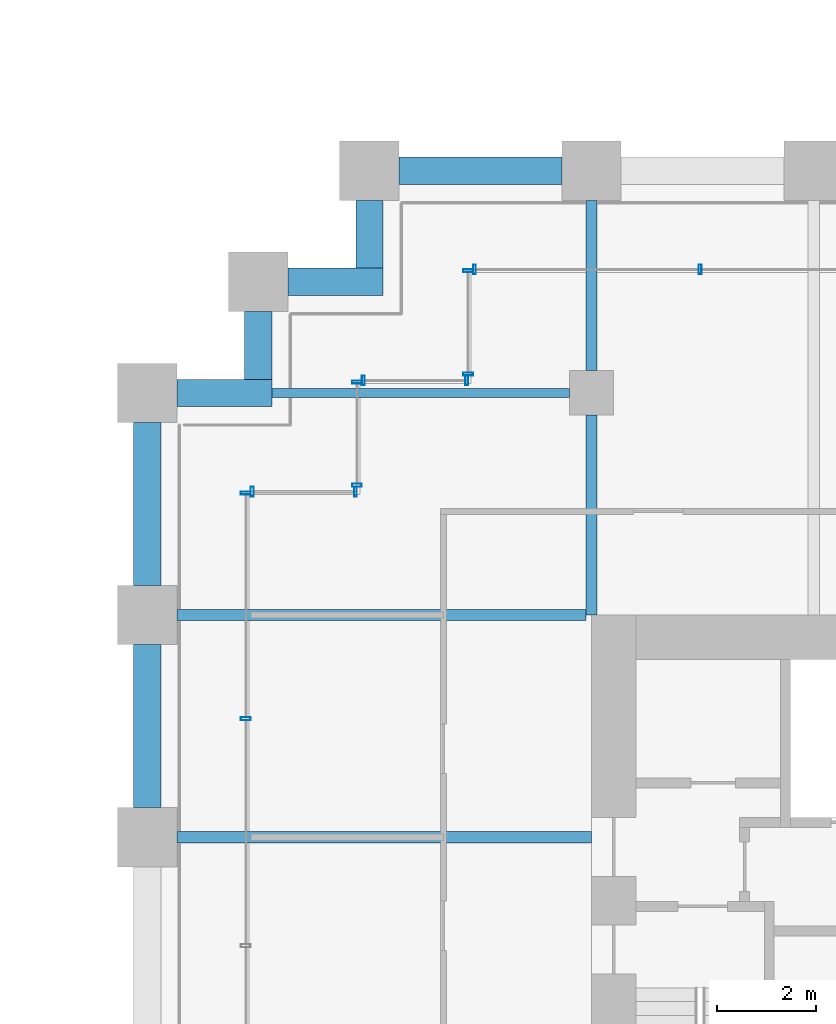
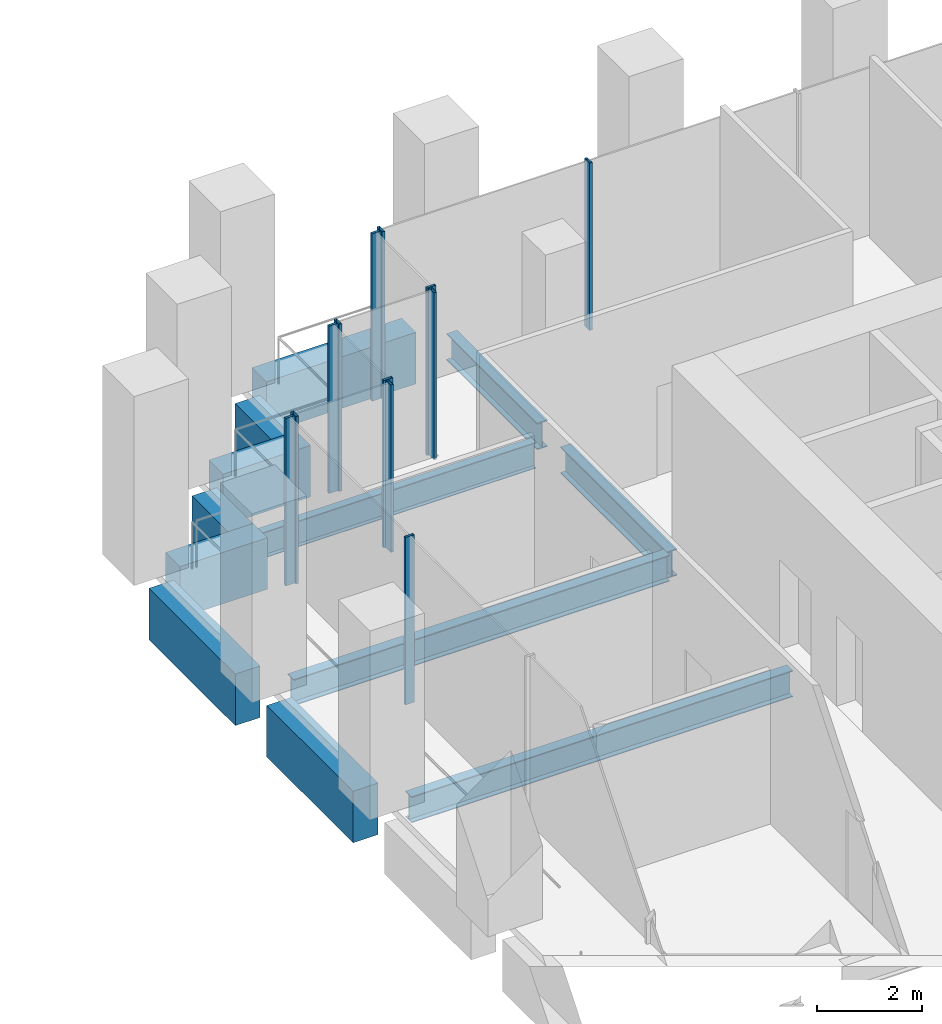
# One storey, part 23 of 36: 12 beams, 12 members, 6 elements without a shape of their own.
"""IFC4 building model written with IfcOpenShell, lengths in metres."""

from ifc_helpers import new_model, si_unit, direction, frame, origin, origin_2d, place, context, subcontext, project, spatial, rectangle, hollow_rectangle, i_section, extrude, material, material_profile, profile_set, type_object, element, aggregate, save


model = new_model("IFC4")

# Units and contexts
model_context = context("Model", 3, precision=1e-05, world=origin(), true_north=direction((0.0, 1.0)))
body_context = subcontext(model_context, "Body", "Model", "MODEL_VIEW")
ifc_project = project(units=[si_unit("LENGTHUNIT", "METRE"), si_unit("AREAUNIT", "SQUARE_METRE"), si_unit("VOLUMEUNIT", "CUBIC_METRE"), si_unit("PLANEANGLEUNIT", "RADIAN"), si_unit("MASSUNIT", "GRAM", prefix="KILO")], contexts=[model_context])

# Site, building, storey
site_placement = place(None, origin())
site = spatial("IfcSite", under=ifc_project, at=site_placement, CompositionType="ELEMENT")
building_placement = place(site_placement, origin())
building = spatial("IfcBuilding", under=site, at=building_placement, Name="Altepetl Exchange Towers", CompositionType="ELEMENT")
storey_placement = place(building_placement, frame((0.0, 0.0, 34.199951171875)))
storey = spatial("IfcBuildingStorey", under=building, at=storey_placement, Name="L07", CompositionType="ELEMENT", Elevation=34.199951171875)

# Beams
ifc_material_1 = material(Name="Steel S355", Category="steel")
ifc_material_profile_1 = material_profile(ifc_material_1, i_section(OverallWidth=0.178955078125, OverallDepth=0.60302734375, WebThickness=0.010986328125, FlangeThickness=0.014892578125, at=origin_2d()), Name="W24X62")
ifc_profile_set_1 = profile_set([ifc_material_profile_1], Name="Steel S355")
beam_type_1 = type_object("IfcBeamType", Name="Floor beam W24X62", PredefinedType="BEAM", material=ifc_profile_set_1)
beam_1_placement = place(storey_placement, frame((97.02490234375, 54.0, -0.4765625), z_axis=(1.0, 0.0, 0.0), x_axis=(0.0, 1.0, 0.0)))
element("IfcBeam", 1, at=beam_1_placement, inside=storey, type_object=beam_type_1, Name="bm:B:L07:015", PredefinedType="BEAM", context=body_context, shape_type="SweptSolid", body=[
    extrude(i_section(OverallWidth=0.178955078125, OverallDepth=0.60302734375, WebThickness=0.010986328125, FlangeThickness=0.014892578125, at=origin_2d()), origin(), (0.0, 0.0, 1.0), 6.025146484375),
])
ifc_material_profile_2 = material_profile(ifc_material_1, i_section(OverallWidth=0.22900390625, OverallDepth=0.612060546875, WebThickness=0.011962890625, FlangeThickness=0.01953125, at=origin_2d()), Name="W24X84")
ifc_profile_set_2 = profile_set([ifc_material_profile_2], Name="Steel S355")
beam_type_2 = type_object("IfcBeamType", Name="Floor beam W24X84", PredefinedType="BEAM", material=ifc_profile_set_2)
beam_2_placement = place(storey_placement, frame((95.10009765625, 45.0, -0.48095703125), z_axis=(1.0, 0.0, 0.0), x_axis=(0.0, 1.0, 0.0)))
element("IfcBeam", 2, at=beam_2_placement, inside=storey, type_object=beam_type_2, Name="bm:B:L07:013", PredefinedType="BEAM", context=body_context, shape_type="SweptSolid", body=[
    extrude(i_section(OverallWidth=0.22900390625, OverallDepth=0.612060546875, WebThickness=0.011962890625, FlangeThickness=0.01953125, at=origin_2d()), origin(), (0.0, 0.0, 1.0), 8.39990234375),
])
beam_3_placement = place(storey_placement, frame((95.10009765625, 49.5, -0.48095703125), z_axis=(1.0, 0.0, 0.0), x_axis=(0.0, 1.0, 0.0)))
element("IfcBeam", 3, at=beam_3_placement, inside=storey, type_object=beam_type_2, Name="bm:B:L07:014", PredefinedType="BEAM", context=body_context, shape_type="SweptSolid", body=[
    extrude(i_section(OverallWidth=0.22900390625, OverallDepth=0.612060546875, WebThickness=0.011962890625, FlangeThickness=0.01953125, at=origin_2d()), origin(), (0.0, 0.0, 1.0), 8.284912109375),
])
ifc_material_profile_3 = material_profile(ifc_material_1, i_section(OverallWidth=0.22900390625, OverallDepth=0.623046875, WebThickness=0.013916015625, FlangeThickness=0.02490234375, at=origin_2d()), Name="W24X103")
ifc_profile_set_3 = profile_set([ifc_material_profile_3], Name="Steel S355")
beam_type_3 = type_object("IfcBeamType", Name="Girder W24X103", PredefinedType="BEAM", material=ifc_profile_set_3)
beam_4_placement = place(storey_placement, frame((103.5, 57.89990234375, -0.486572265625), z_axis=(0.0, -1.0, 0.0), x_axis=(1.0, 0.0, 0.0)))
element("IfcBeam", 4, at=beam_4_placement, inside=storey, type_object=beam_type_3, Name="gd:B:L07:002", PredefinedType="BEAM", context=body_context, shape_type="SweptSolid", body=[
    extrude(i_section(OverallWidth=0.22900390625, OverallDepth=0.623046875, WebThickness=0.013916015625, FlangeThickness=0.02490234375, at=origin_2d()), origin(), (0.0, 0.0, 1.0), 3.449951171875),
])
beam_5_placement = place(storey_placement, frame((103.5, 53.550048828125, -0.486572265625), z_axis=(0.0, -1.0, 0.0), x_axis=(1.0, 0.0, 0.0)))
element("IfcBeam", 5, at=beam_5_placement, inside=storey, type_object=beam_type_3, Name="gd:B:L07:003", PredefinedType="BEAM", context=body_context, shape_type="SweptSolid", body=[
    extrude(i_section(OverallWidth=0.22900390625, OverallDepth=0.623046875, WebThickness=0.013916015625, FlangeThickness=0.02490234375, at=origin_2d()), origin(), (0.0, 0.0, 1.0), 4.050048828125),
])

# Curtain wall, members
ifc_material_2 = material(Name="Aluminium 6063-T6 glazing", Category="aluminium")
curtain_wall_type = type_object("IfcCurtainWallType", Name="Trading floor glazing system", PredefinedType="NOTDEFINED", material=ifc_material_2)
curtain_wall_1_placement = place(storey_placement, origin())
curtain_wall_1 = element("IfcCurtainWall", 6, at=curtain_wall_1_placement, inside=storey, type_object=curtain_wall_type, Name="CW2 run", PredefinedType="NOTDEFINED")
ifc_material_3 = material(Name="Aluminium 6063-T6", Category="aluminium")
ifc_material_profile_4 = material_profile(ifc_material_3, hollow_rectangle(XDim=0.06005859375, YDim=0.199951171875, WallThickness=0.0029296875, at=origin_2d()), Name="Mullion 60x200 aluminium")
ifc_profile_set_4 = profile_set([ifc_material_profile_4], Name="Aluminium 6063-T6")
member_type = type_object("IfcMemberType", Name="Mullion 60x200 aluminium", PredefinedType="MULLION", material=ifc_profile_set_4)
member_1_placement = place(storey_placement, frame((98.719970703125, 52.0, 0.0), z_axis=(0.0, 0.0, 1.0), x_axis=(-1.0, 0.0, 0.0)))
member_1 = element("IfcMember", 7, at=member_1_placement, type_object=member_type, Name="MU2 mullion", PredefinedType="MULLION", context=body_context, shape_type="SweptSolid", body=[
    extrude(hollow_rectangle(XDim=0.06005859375, YDim=0.199951171875, WallThickness=0.0029296875, at=origin_2d()), origin(), (0.0, 0.0, 1.0), 3.900146484375),
])
member_2_placement = place(storey_placement, frame((96.6298828125, 52.0, 0.0), z_axis=(0.0, 0.0, 1.0), x_axis=(-1.0, 0.0, 0.0)))
member_2 = element("IfcMember", 8, at=member_2_placement, type_object=member_type, Name="MU2 mullion", PredefinedType="MULLION", context=body_context, shape_type="SweptSolid", body=[
    extrude(hollow_rectangle(XDim=0.06005859375, YDim=0.199951171875, WallThickness=0.0029296875, at=origin_2d()), origin(), (0.0, 0.0, 1.0), 3.900146484375),
])
aggregate(curtain_wall_1, [member_1, member_2])

curtain_wall_2_placement = place(storey_placement, origin())
curtain_wall_2 = element("IfcCurtainWall", 9, at=curtain_wall_2_placement, inside=storey, type_object=curtain_wall_type, Name="CW2 run", PredefinedType="NOTDEFINED")
member_3_placement = place(storey_placement, frame((96.5, 51.969970703125, 0.0), z_axis=(0.0, 0.0, 1.0), x_axis=(0.0, -1.0, 0.0)))
member_3 = element("IfcMember", 10, at=member_3_placement, type_object=member_type, Name="MU2 mullion", PredefinedType="MULLION", context=body_context, shape_type="SweptSolid", body=[
    extrude(hollow_rectangle(XDim=0.06005859375, YDim=0.199951171875, WallThickness=0.0029296875, at=origin_2d()), origin(), (0.0, 0.0, 1.0), 3.900146484375),
])
member_4_placement = place(storey_placement, frame((96.5, 47.39990234375, 0.0), z_axis=(0.0, 0.0, 1.0), x_axis=(0.0, -1.0, 0.0)))
member_4 = element("IfcMember", 11, at=member_4_placement, type_object=member_type, Name="MU2 mullion", PredefinedType="MULLION", context=body_context, shape_type="SweptSolid", body=[
    extrude(hollow_rectangle(XDim=0.06005859375, YDim=0.199951171875, WallThickness=0.0029296875, at=origin_2d()), origin(), (0.0, 0.0, 1.0), 3.900146484375),
])
aggregate(curtain_wall_2, [member_3, member_4])

curtain_wall_3_placement = place(storey_placement, origin())
curtain_wall_3 = element("IfcCurtainWall", 12, at=curtain_wall_3_placement, inside=storey, type_object=curtain_wall_type, Name="CW2 run", PredefinedType="NOTDEFINED")
member_5_placement = place(storey_placement, frame((105.699951171875, 56.5, 0.0), z_axis=(0.0, 0.0, 1.0), x_axis=(-1.0, 0.0, 0.0)))
member_5 = element("IfcMember", 13, at=member_5_placement, type_object=member_type, Name="MU2 mullion", PredefinedType="MULLION", context=body_context, shape_type="SweptSolid", body=[
    extrude(hollow_rectangle(XDim=0.06005859375, YDim=0.199951171875, WallThickness=0.0029296875, at=origin_2d()), origin(), (0.0, 0.0, 1.0), 3.900146484375),
])
member_6_placement = place(storey_placement, frame((101.1298828125, 56.5, 0.0), z_axis=(0.0, 0.0, 1.0), x_axis=(-1.0, 0.0, 0.0)))
member_6 = element("IfcMember", 14, at=member_6_placement, type_object=member_type, Name="MU2 mullion", PredefinedType="MULLION", context=body_context, shape_type="SweptSolid", body=[
    extrude(hollow_rectangle(XDim=0.06005859375, YDim=0.199951171875, WallThickness=0.0029296875, at=origin_2d()), origin(), (0.0, 0.0, 1.0), 3.900146484375),
])
aggregate(curtain_wall_3, [member_5, member_6])

curtain_wall_4_placement = place(storey_placement, origin())
curtain_wall_4 = element("IfcCurtainWall", 15, at=curtain_wall_4_placement, inside=storey, type_object=curtain_wall_type, Name="CW2 run", PredefinedType="NOTDEFINED")
member_7_placement = place(storey_placement, frame((101.0, 56.469970703125, 0.0), z_axis=(0.0, 0.0, 1.0), x_axis=(0.0, -1.0, 0.0)))
member_7 = element("IfcMember", 16, at=member_7_placement, type_object=member_type, Name="MU2 mullion", PredefinedType="MULLION", context=body_context, shape_type="SweptSolid", body=[
    extrude(hollow_rectangle(XDim=0.06005859375, YDim=0.199951171875, WallThickness=0.0029296875, at=origin_2d()), origin(), (0.0, 0.0, 1.0), 3.900146484375),
])
member_8_placement = place(storey_placement, frame((101.0, 54.3798828125, 0.0), z_axis=(0.0, 0.0, 1.0), x_axis=(0.0, -1.0, 0.0)))
member_8 = element("IfcMember", 17, at=member_8_placement, type_object=member_type, Name="MU2 mullion", PredefinedType="MULLION", context=body_context, shape_type="SweptSolid", body=[
    extrude(hollow_rectangle(XDim=0.06005859375, YDim=0.199951171875, WallThickness=0.0029296875, at=origin_2d()), origin(), (0.0, 0.0, 1.0), 3.900146484375),
])
aggregate(curtain_wall_4, [member_7, member_8])

curtain_wall_5_placement = place(storey_placement, origin())
curtain_wall_5 = element("IfcCurtainWall", 18, at=curtain_wall_5_placement, inside=storey, type_object=curtain_wall_type, Name="CW2 run", PredefinedType="NOTDEFINED")
member_9_placement = place(storey_placement, frame((100.969970703125, 54.25, 0.0), z_axis=(0.0, 0.0, 1.0), x_axis=(-1.0, 0.0, 0.0)))
member_9 = element("IfcMember", 19, at=member_9_placement, type_object=member_type, Name="MU2 mullion", PredefinedType="MULLION", context=body_context, shape_type="SweptSolid", body=[
    extrude(hollow_rectangle(XDim=0.06005859375, YDim=0.199951171875, WallThickness=0.0029296875, at=origin_2d()), origin(), (0.0, 0.0, 1.0), 3.900146484375),
])
member_10_placement = place(storey_placement, frame((98.8798828125, 54.25, 0.0), z_axis=(0.0, 0.0, 1.0), x_axis=(-1.0, 0.0, 0.0)))
member_10 = element("IfcMember", 20, at=member_10_placement, type_object=member_type, Name="MU2 mullion", PredefinedType="MULLION", context=body_context, shape_type="SweptSolid", body=[
    extrude(hollow_rectangle(XDim=0.06005859375, YDim=0.199951171875, WallThickness=0.0029296875, at=origin_2d()), origin(), (0.0, 0.0, 1.0), 3.900146484375),
])
aggregate(curtain_wall_5, [member_9, member_10])

curtain_wall_6_placement = place(storey_placement, origin())
curtain_wall_6 = element("IfcCurtainWall", 21, at=curtain_wall_6_placement, inside=storey, type_object=curtain_wall_type, Name="CW2 run", PredefinedType="NOTDEFINED")
member_11_placement = place(storey_placement, frame((98.75, 54.219970703125, 0.0), z_axis=(0.0, 0.0, 1.0), x_axis=(0.0, -1.0, 0.0)))
member_11 = element("IfcMember", 22, at=member_11_placement, type_object=member_type, Name="MU2 mullion", PredefinedType="MULLION", context=body_context, shape_type="SweptSolid", body=[
    extrude(hollow_rectangle(XDim=0.06005859375, YDim=0.199951171875, WallThickness=0.0029296875, at=origin_2d()), origin(), (0.0, 0.0, 1.0), 3.900146484375),
])
member_12_placement = place(storey_placement, frame((98.75, 52.1298828125, 0.0), z_axis=(0.0, 0.0, 1.0), x_axis=(0.0, -1.0, 0.0)))
member_12 = element("IfcMember", 23, at=member_12_placement, type_object=member_type, Name="MU2 mullion", PredefinedType="MULLION", context=body_context, shape_type="SweptSolid", body=[
    extrude(hollow_rectangle(XDim=0.06005859375, YDim=0.199951171875, WallThickness=0.0029296875, at=origin_2d()), origin(), (0.0, 0.0, 1.0), 3.900146484375),
])
aggregate(curtain_wall_6, [member_11, member_12])

# Beams
ifc_material_4 = material(Name="Concrete C50/60 precast with cantera rosa facing", Category="concrete")
ifc_material_profile_5 = material_profile(ifc_material_4, rectangle(XDim=0.550048828125, YDim=1.199951171875, at=origin_2d()), Name="550 x 1200")
ifc_profile_set_5 = profile_set([ifc_material_profile_5], Name="Concrete C50/60 precast with cantera rosa facing")
beam_type_4 = type_object("IfcBeamType", Name="Spandrel beam 550x1200 cantera rosa", PredefinedType="SPANDREL", material=ifc_profile_set_5)
beam_6_placement = place(storey_placement, frame((102.89990234375, 58.5, -0.77490234375), z_axis=(-1.0, 0.0, 0.0), x_axis=(0.0, -1.0, 0.0)))
element("IfcBeam", 24, at=beam_6_placement, inside=storey, type_object=beam_type_4, Name="sp:B:L07:022", PredefinedType="SPANDREL", context=body_context, shape_type="SweptSolid", body=[
    extrude(rectangle(XDim=0.550048828125, YDim=1.199951171875, at=origin_2d()), origin(), (0.0, 0.0, 1.0), 3.2998046875),
])
beam_7_placement = place(storey_placement, frame((99.0, 57.89990234375, -0.77490234375), z_axis=(0.0, -1.0, 0.0), x_axis=(1.0, 0.0, 0.0)))
element("IfcBeam", 25, at=beam_7_placement, inside=storey, type_object=beam_type_4, Name="sp:B:L07:023", PredefinedType="SPANDREL", context=body_context, shape_type="SweptSolid", body=[
    extrude(rectangle(XDim=0.550048828125, YDim=1.199951171875, at=origin_2d()), origin(), (0.0, 0.0, 1.0), 1.375),
])
beam_8_placement = place(storey_placement, frame((99.27490234375, 56.25, -0.77490234375), z_axis=(-1.0, 0.0, 0.0), x_axis=(0.0, -1.0, 0.0)))
element("IfcBeam", 26, at=beam_8_placement, inside=storey, type_object=beam_type_4, Name="sp:B:L07:024", PredefinedType="SPANDREL", context=body_context, shape_type="SweptSolid", body=[
    extrude(rectangle(XDim=0.550048828125, YDim=1.199951171875, at=origin_2d()), origin(), (0.0, 0.0, 1.0), 1.9248046875),
])
beam_9_placement = place(storey_placement, frame((96.75, 55.64990234375, -0.77490234375), z_axis=(0.0, -1.0, 0.0), x_axis=(1.0, 0.0, 0.0)))
element("IfcBeam", 27, at=beam_9_placement, inside=storey, type_object=beam_type_4, Name="sp:B:L07:025", PredefinedType="SPANDREL", context=body_context, shape_type="SweptSolid", body=[
    extrude(rectangle(XDim=0.550048828125, YDim=1.199951171875, at=origin_2d()), origin(), (0.0, 0.0, 1.0), 1.375),
])
beam_10_placement = place(storey_placement, frame((97.02490234375, 54.0, -0.77490234375), z_axis=(-1.0, 0.0, 0.0), x_axis=(0.0, -1.0, 0.0)))
element("IfcBeam", 28, at=beam_10_placement, inside=storey, type_object=beam_type_4, Name="sp:B:L07:026", PredefinedType="SPANDREL", context=body_context, shape_type="SweptSolid", body=[
    extrude(rectangle(XDim=0.550048828125, YDim=1.199951171875, at=origin_2d()), origin(), (0.0, 0.0, 1.0), 1.9248046875),
])
for number, where, z_axis, x_axis, name in (
    (29, (94.5, 53.39990234375, -0.77490234375), (0.0, -1.0, 0.0), (1.0, 0.0, 0.0), "sp:B:L07:027"),
    (30, (94.5, 48.89990234375, -0.77490234375), (0.0, -1.0, 0.0), (1.0, 0.0, 0.0), "sp:B:L07:028"),
):
    element("IfcBeam", number, at=place(storey_placement, frame(where, z_axis=z_axis, x_axis=x_axis)), inside=storey, type_object=beam_type_4, Name=name, PredefinedType="SPANDREL", context=body_context, shape_type="SweptSolid", body=[
        extrude(rectangle(XDim=0.550048828125, YDim=1.199951171875, at=origin_2d()), origin(), (0.0, 0.0, 1.0), 3.2998046875),
    ])

save(model, "model.ifc")
